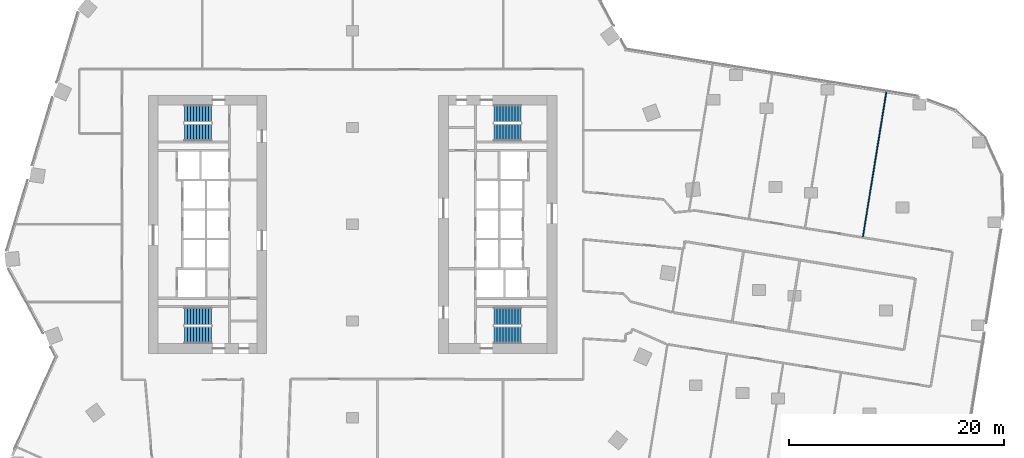
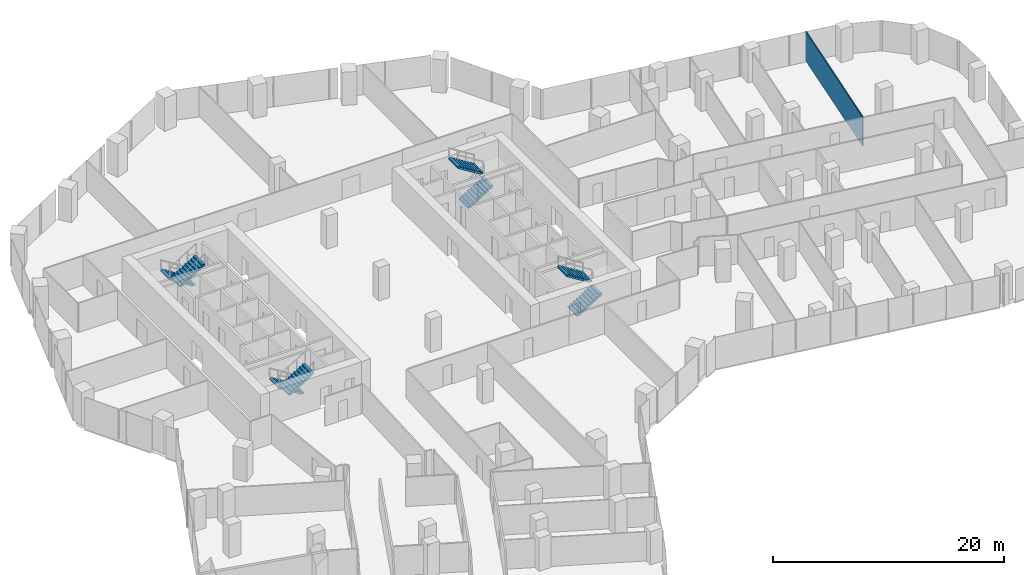
# One storey, part 30 of 34: 8 stair flights, 1 wall, 4 elements without a shape of their own.
"""IFC4 building model written with IfcOpenShell, lengths in metres."""

from ifc_helpers import new_model, si_unit, direction, frame, frame_2d, origin, place, context, subcontext, project, spatial, polyline, rectangle, outline, extrude, material, layer, layer_set, type_object, element, aggregate, save


model = new_model("IFC4")

# Units and contexts
model_context = context("Model", 3, precision=1e-05, world=origin(), true_north=direction((0.0, 1.0)))
body_context = subcontext(model_context, "Body", "Model", "MODEL_VIEW")
ifc_project = project(units=[si_unit("LENGTHUNIT", "METRE"), si_unit("AREAUNIT", "SQUARE_METRE"), si_unit("VOLUMEUNIT", "CUBIC_METRE"), si_unit("PLANEANGLEUNIT", "RADIAN"), si_unit("MASSUNIT", "GRAM", prefix="KILO")], contexts=[model_context])

# Site, building, storey
site_placement = place(None, origin())
site = spatial("IfcSite", under=ifc_project, at=site_placement, CompositionType="ELEMENT")
building_placement = place(site_placement, origin())
building = spatial("IfcBuilding", under=site, at=building_placement, Name="Orlundy Tower", CompositionType="ELEMENT")
storey_placement = place(building_placement, frame((0.0, 0.0, 127.199951171875)))
storey = spatial("IfcBuildingStorey", under=building, at=storey_placement, Name="L32", CompositionType="ELEMENT", Elevation=127.199951171875)

# Wall
ifc_material_1 = material(Name="Gypsum board partition")
ifc_layer = layer(ifc_material_1, 0.10009765625)
ifc_layer_set = layer_set([ifc_layer], Name="Floor partition 100")
wall_type = type_object("IfcWallType", Name="Floor partition 100", PredefinedType="PARTITIONING", material=ifc_layer_set)
wall_placement = place(storey_placement, frame((47.470947265625, -1.1640625, 0.0), z_axis=(0.0, 0.0, 1.0), x_axis=(0.159361135309, 0.987220354608, 0.0)))
element("IfcWall", 1, at=wall_placement, inside=storey, type_object=wall_type, Name="wall-int-L32-059", PredefinedType="PARTITIONING", context=body_context, shape_type="SweptSolid", body=[
    extrude(rectangle(XDim=13.8369140625, YDim=0.10009765625, at=frame_2d((6.91845703125, 0.0))), origin(), (0.0, 0.0, 1.0), 3.080078125),
])

# Stair, stair flights
ifc_material_2 = material(Name="Concrete C50/60", Category="concrete")
stair_type = type_object("IfcStairType", Name="Exit Stair 20 risers", PredefinedType="HALF_TURN_STAIR", material=ifc_material_2)
stair_1_placement = place(storey_placement, origin())
stair_1 = element("IfcStair", 2, at=stair_1_placement, inside=storey, type_object=stair_type, Name="L32 Exit Stair ST-W1", PredefinedType="HALF_TURN_STAIR")
ifc_material_3 = material(Name="Concrete C50/60", Category="concrete")
stair_flight_type = type_object("IfcStairFlightType", Name="Stair Flight 10 risers", PredefinedType="STRAIGHT", material=ifc_material_3)
stair_flight_1_placement = place(storey_placement, frame((-13.139892578125, 10.300048828125, 0.0), z_axis=(0.0, 0.0, 1.0), x_axis=(-1.0, 0.0, 0.0)))
stair_flight_1 = element("IfcStairFlight", 3, at=stair_flight_1_placement, type_object=stair_flight_type, Name="ST-W1 flight 1", NumberOfRisers=10, NumberOfTreads=9, PredefinedType="STRAIGHT", RiserHeight=0.175, TreadLength=0.28, context=body_context, shape_type="SweptSolid", body=[
    extrude(outline(polyline([(0.0, 0.0), (0.0, 0.175048828125), (0.280029296875, 0.175048828125), (0.280029296875, 0.35009765625), (0.56005859375, 0.35009765625), (0.56005859375, 0.52490234375), (0.840087890625, 0.52490234375), (0.840087890625, 0.699951171875), (1.1201171875, 0.699951171875), (1.1201171875, 0.875), (1.39990234375, 0.875), (1.39990234375, 1.050048828125), (1.679931640625, 1.050048828125), (1.679931640625, 1.22509765625), (1.9599609375, 1.22509765625), (1.9599609375, 1.39990234375), (2.239990234375, 1.39990234375), (2.239990234375, 1.574951171875), (2.52001953125, 1.574951171875), (2.52001953125, 1.75), (2.52001953125, 1.398193359375), (0.28271484375, 0.0), (0.0, 0.0)])), frame((0.0, 0.800048828125, 0.0), z_axis=(0.0, -1.0, 0.0), x_axis=(1.0, 0.0, 0.0)), (0.0, 0.0, 1.0), 1.60009765625),
])
stair_flight_2_placement = place(storey_placement, frame((-15.659912109375, 8.550048828125, 1.75), z_axis=(0.0, 0.0, 1.0), x_axis=(1.0, 0.0, 0.0)))
stair_flight_2 = element("IfcStairFlight", 4, at=stair_flight_2_placement, type_object=stair_flight_type, Name="ST-W1 flight 2", NumberOfRisers=10, NumberOfTreads=9, PredefinedType="STRAIGHT", RiserHeight=0.175, TreadLength=0.28, context=body_context, shape_type="SweptSolid", body=[
    extrude(outline(polyline([(0.0, 0.0), (0.0, 0.175048828125), (0.280029296875, 0.175048828125), (0.280029296875, 0.35009765625), (0.56005859375, 0.35009765625), (0.56005859375, 0.52490234375), (0.840087890625, 0.52490234375), (0.840087890625, 0.699951171875), (1.1201171875, 0.699951171875), (1.1201171875, 0.875), (1.39990234375, 0.875), (1.39990234375, 1.050048828125), (1.679931640625, 1.050048828125), (1.679931640625, 1.22509765625), (1.9599609375, 1.22509765625), (1.9599609375, 1.39990234375), (2.239990234375, 1.39990234375), (2.239990234375, 1.574951171875), (2.52001953125, 1.574951171875), (2.52001953125, 1.75), (2.52001953125, 1.398193359375), (0.28271484375, 0.0), (0.0, 0.0)])), frame((0.0, 0.800048828125, 0.0), z_axis=(0.0, -1.0, 0.0), x_axis=(1.0, 0.0, 0.0)), (0.0, 0.0, 1.0), 1.60009765625),
])
aggregate(stair_1, [stair_flight_1, stair_flight_2])

stair_2_placement = place(storey_placement, origin())
stair_2 = element("IfcStair", 5, at=stair_2_placement, inside=storey, type_object=stair_type, Name="L32 Exit Stair ST-W2", PredefinedType="HALF_TURN_STAIR")
stair_flight_3_placement = place(storey_placement, frame((-13.139892578125, -8.550048828125, 0.0), z_axis=(0.0, 0.0, 1.0), x_axis=(-1.0, 0.0, 0.0)))
stair_flight_3 = element("IfcStairFlight", 6, at=stair_flight_3_placement, type_object=stair_flight_type, Name="ST-W2 flight 1", NumberOfRisers=10, NumberOfTreads=9, PredefinedType="STRAIGHT", RiserHeight=0.175, TreadLength=0.28, context=body_context, shape_type="SweptSolid", body=[
    extrude(outline(polyline([(0.0, 0.0), (0.0, 0.175048828125), (0.280029296875, 0.175048828125), (0.280029296875, 0.35009765625), (0.56005859375, 0.35009765625), (0.56005859375, 0.52490234375), (0.840087890625, 0.52490234375), (0.840087890625, 0.699951171875), (1.1201171875, 0.699951171875), (1.1201171875, 0.875), (1.39990234375, 0.875), (1.39990234375, 1.050048828125), (1.679931640625, 1.050048828125), (1.679931640625, 1.22509765625), (1.9599609375, 1.22509765625), (1.9599609375, 1.39990234375), (2.239990234375, 1.39990234375), (2.239990234375, 1.574951171875), (2.52001953125, 1.574951171875), (2.52001953125, 1.75), (2.52001953125, 1.398193359375), (0.28271484375, 0.0), (0.0, 0.0)])), frame((0.0, 0.800048828125, 0.0), z_axis=(0.0, -1.0, 0.0), x_axis=(1.0, 0.0, 0.0)), (0.0, 0.0, 1.0), 1.60009765625),
])
stair_flight_4_placement = place(storey_placement, frame((-15.659912109375, -10.300048828125, 1.75), z_axis=(0.0, 0.0, 1.0), x_axis=(1.0, 0.0, 0.0)))
stair_flight_4 = element("IfcStairFlight", 7, at=stair_flight_4_placement, type_object=stair_flight_type, Name="ST-W2 flight 2", NumberOfRisers=10, NumberOfTreads=9, PredefinedType="STRAIGHT", RiserHeight=0.175, TreadLength=0.28, context=body_context, shape_type="SweptSolid", body=[
    extrude(outline(polyline([(0.0, 0.0), (0.0, 0.175048828125), (0.280029296875, 0.175048828125), (0.280029296875, 0.35009765625), (0.56005859375, 0.35009765625), (0.56005859375, 0.52490234375), (0.840087890625, 0.52490234375), (0.840087890625, 0.699951171875), (1.1201171875, 0.699951171875), (1.1201171875, 0.875), (1.39990234375, 0.875), (1.39990234375, 1.050048828125), (1.679931640625, 1.050048828125), (1.679931640625, 1.22509765625), (1.9599609375, 1.22509765625), (1.9599609375, 1.39990234375), (2.239990234375, 1.39990234375), (2.239990234375, 1.574951171875), (2.52001953125, 1.574951171875), (2.52001953125, 1.75), (2.52001953125, 1.398193359375), (0.28271484375, 0.0), (0.0, 0.0)])), frame((0.0, 0.800048828125, 0.0), z_axis=(0.0, -1.0, 0.0), x_axis=(1.0, 0.0, 0.0)), (0.0, 0.0, 1.0), 1.60009765625),
])
aggregate(stair_2, [stair_flight_3, stair_flight_4])

stair_3_placement = place(storey_placement, origin())
stair_3 = element("IfcStair", 8, at=stair_3_placement, inside=storey, type_object=stair_type, Name="L32 Exit Stair ST-E1", PredefinedType="HALF_TURN_STAIR")
stair_flight_5_placement = place(storey_placement, frame((13.139892578125, -10.300048828125, 0.0), z_axis=(0.0, 0.0, 1.0), x_axis=(1.0, 0.0, 0.0)))
stair_flight_5 = element("IfcStairFlight", 9, at=stair_flight_5_placement, type_object=stair_flight_type, Name="ST-E1 flight 1", NumberOfRisers=10, NumberOfTreads=9, PredefinedType="STRAIGHT", RiserHeight=0.175, TreadLength=0.28, context=body_context, shape_type="SweptSolid", body=[
    extrude(outline(polyline([(0.0, 0.0), (0.0, 0.175048828125), (0.280029296875, 0.175048828125), (0.280029296875, 0.35009765625), (0.56005859375, 0.35009765625), (0.56005859375, 0.52490234375), (0.840087890625, 0.52490234375), (0.840087890625, 0.699951171875), (1.1201171875, 0.699951171875), (1.1201171875, 0.875), (1.39990234375, 0.875), (1.39990234375, 1.050048828125), (1.679931640625, 1.050048828125), (1.679931640625, 1.22509765625), (1.9599609375, 1.22509765625), (1.9599609375, 1.39990234375), (2.239990234375, 1.39990234375), (2.239990234375, 1.574951171875), (2.52001953125, 1.574951171875), (2.52001953125, 1.75), (2.52001953125, 1.398193359375), (0.28271484375, 0.0), (0.0, 0.0)])), frame((0.0, 0.800048828125, 0.0), z_axis=(0.0, -1.0, 0.0), x_axis=(1.0, 0.0, 0.0)), (0.0, 0.0, 1.0), 1.60009765625),
])
stair_flight_6_placement = place(storey_placement, frame((15.659912109375, -8.550048828125, 1.75), z_axis=(0.0, 0.0, 1.0), x_axis=(-1.0, 0.0, 0.0)))
stair_flight_6 = element("IfcStairFlight", 10, at=stair_flight_6_placement, type_object=stair_flight_type, Name="ST-E1 flight 2", NumberOfRisers=10, NumberOfTreads=9, PredefinedType="STRAIGHT", RiserHeight=0.175, TreadLength=0.28, context=body_context, shape_type="SweptSolid", body=[
    extrude(outline(polyline([(0.0, 0.0), (0.0, 0.175048828125), (0.280029296875, 0.175048828125), (0.280029296875, 0.35009765625), (0.56005859375, 0.35009765625), (0.56005859375, 0.52490234375), (0.840087890625, 0.52490234375), (0.840087890625, 0.699951171875), (1.1201171875, 0.699951171875), (1.1201171875, 0.875), (1.39990234375, 0.875), (1.39990234375, 1.050048828125), (1.679931640625, 1.050048828125), (1.679931640625, 1.22509765625), (1.9599609375, 1.22509765625), (1.9599609375, 1.39990234375), (2.239990234375, 1.39990234375), (2.239990234375, 1.574951171875), (2.52001953125, 1.574951171875), (2.52001953125, 1.75), (2.52001953125, 1.398193359375), (0.28271484375, 0.0), (0.0, 0.0)])), frame((0.0, 0.800048828125, 0.0), z_axis=(0.0, -1.0, 0.0), x_axis=(1.0, 0.0, 0.0)), (0.0, 0.0, 1.0), 1.60009765625),
])
aggregate(stair_3, [stair_flight_5, stair_flight_6])

stair_4_placement = place(storey_placement, origin())
stair_4 = element("IfcStair", 11, at=stair_4_placement, inside=storey, type_object=stair_type, Name="L32 Exit Stair ST-E2", PredefinedType="HALF_TURN_STAIR")
stair_flight_7_placement = place(storey_placement, frame((13.139892578125, 8.550048828125, 0.0), z_axis=(0.0, 0.0, 1.0), x_axis=(1.0, 0.0, 0.0)))
stair_flight_7 = element("IfcStairFlight", 12, at=stair_flight_7_placement, type_object=stair_flight_type, Name="ST-E2 flight 1", NumberOfRisers=10, NumberOfTreads=9, PredefinedType="STRAIGHT", RiserHeight=0.175, TreadLength=0.28, context=body_context, shape_type="SweptSolid", body=[
    extrude(outline(polyline([(0.0, 0.0), (0.0, 0.175048828125), (0.280029296875, 0.175048828125), (0.280029296875, 0.35009765625), (0.56005859375, 0.35009765625), (0.56005859375, 0.52490234375), (0.840087890625, 0.52490234375), (0.840087890625, 0.699951171875), (1.1201171875, 0.699951171875), (1.1201171875, 0.875), (1.39990234375, 0.875), (1.39990234375, 1.050048828125), (1.679931640625, 1.050048828125), (1.679931640625, 1.22509765625), (1.9599609375, 1.22509765625), (1.9599609375, 1.39990234375), (2.239990234375, 1.39990234375), (2.239990234375, 1.574951171875), (2.52001953125, 1.574951171875), (2.52001953125, 1.75), (2.52001953125, 1.398193359375), (0.28271484375, 0.0), (0.0, 0.0)])), frame((0.0, 0.800048828125, 0.0), z_axis=(0.0, -1.0, 0.0), x_axis=(1.0, 0.0, 0.0)), (0.0, 0.0, 1.0), 1.60009765625),
])
stair_flight_8_placement = place(storey_placement, frame((15.659912109375, 10.300048828125, 1.75), z_axis=(0.0, 0.0, 1.0), x_axis=(-1.0, 0.0, 0.0)))
stair_flight_8 = element("IfcStairFlight", 13, at=stair_flight_8_placement, type_object=stair_flight_type, Name="ST-E2 flight 2", NumberOfRisers=10, NumberOfTreads=9, PredefinedType="STRAIGHT", RiserHeight=0.175, TreadLength=0.28, context=body_context, shape_type="SweptSolid", body=[
    extrude(outline(polyline([(0.0, 0.0), (0.0, 0.175048828125), (0.280029296875, 0.175048828125), (0.280029296875, 0.35009765625), (0.56005859375, 0.35009765625), (0.56005859375, 0.52490234375), (0.840087890625, 0.52490234375), (0.840087890625, 0.699951171875), (1.1201171875, 0.699951171875), (1.1201171875, 0.875), (1.39990234375, 0.875), (1.39990234375, 1.050048828125), (1.679931640625, 1.050048828125), (1.679931640625, 1.22509765625), (1.9599609375, 1.22509765625), (1.9599609375, 1.39990234375), (2.239990234375, 1.39990234375), (2.239990234375, 1.574951171875), (2.52001953125, 1.574951171875), (2.52001953125, 1.75), (2.52001953125, 1.398193359375), (0.28271484375, 0.0), (0.0, 0.0)])), frame((0.0, 0.800048828125, 0.0), z_axis=(0.0, -1.0, 0.0), x_axis=(1.0, 0.0, 0.0)), (0.0, 0.0, 1.0), 1.60009765625),
])
aggregate(stair_4, [stair_flight_7, stair_flight_8])

save(model, "model.ifc")
